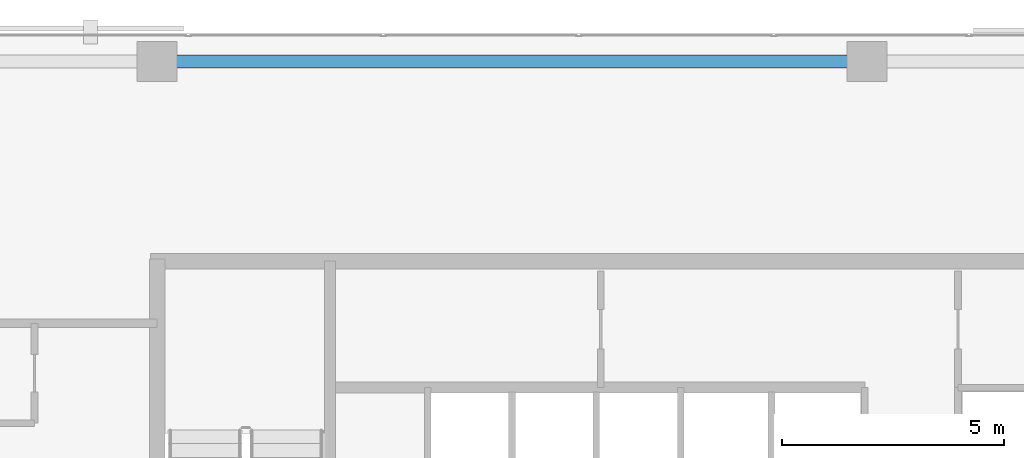
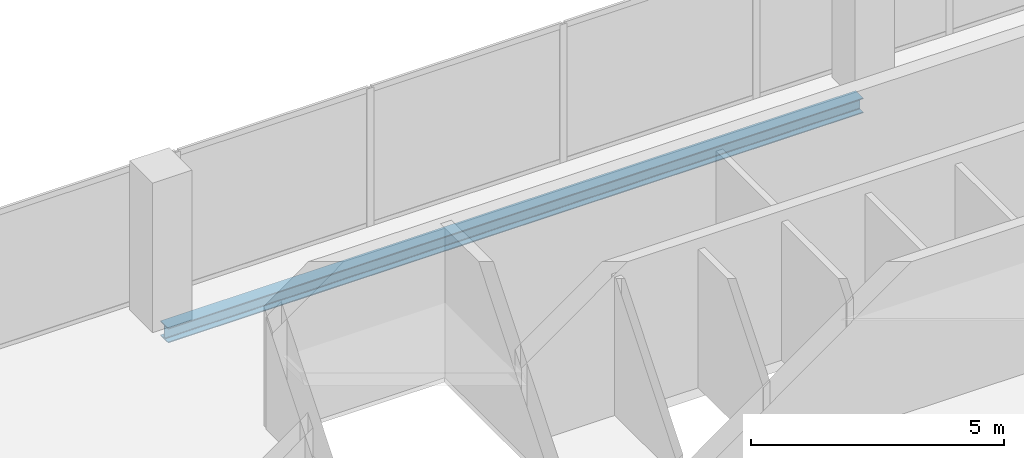
# One storey, part 21 of 34: 1 beam.
"""IFC4 building model written with IfcOpenShell, lengths in metres."""

from ifc_helpers import new_model, si_unit, direction, frame, origin, origin_2d, place, context, subcontext, project, spatial, i_section, extrude, material, material_profile, profile_set, type_object, element, save


model = new_model("IFC4")

# Units and contexts
model_context = context("Model", 3, precision=1e-05, world=origin(), true_north=direction((0.0, 1.0)))
body_context = subcontext(model_context, "Body", "Model", "MODEL_VIEW")
ifc_project = project(units=[si_unit("LENGTHUNIT", "METRE"), si_unit("AREAUNIT", "SQUARE_METRE"), si_unit("VOLUMEUNIT", "CUBIC_METRE"), si_unit("PLANEANGLEUNIT", "RADIAN"), si_unit("MASSUNIT", "GRAM", prefix="KILO")], contexts=[model_context])

# Site, building, storey
site_placement = place(None, origin())
site = spatial("IfcSite", under=ifc_project, at=site_placement, CompositionType="ELEMENT")
building_placement = place(site_placement, origin())
building = spatial("IfcBuilding", under=site, at=building_placement, Name="Catumbela Crestline Tower", CompositionType="ELEMENT")
storey_placement = place(building_placement, frame((0.0, 0.0, 115.2)))
storey = spatial("IfcBuildingStorey", under=building, at=storey_placement, Name="L29", CompositionType="ELEMENT", Elevation=115.2)

# Beam
ifc_material = material(Name="Structural steel S355J2", Category="steel")
ifc_material_profile = material_profile(ifc_material, i_section(OverallWidth=0.3, OverallDepth=0.36, WebThickness=0.0125, FlangeThickness=0.0225, FilletRadius=0.027, at=origin_2d()), Name="HEB 360")
ifc_profile_set = profile_set([ifc_material_profile], Name="Structural steel S355J2")
beam_type = type_object("IfcBeamType", Name="BS-HEB360", PredefinedType="SPANDREL", material=ifc_profile_set)
beam_placement = place(storey_placement, frame((16.08, 47.4, -0.44), z_axis=(1.0, 0.0, 0.0), x_axis=(0.0, 1.0, 0.0)))
element("IfcBeam", 1, at=beam_placement, inside=storey, type_object=beam_type, Name="L29 Spandrel SP-L29-NF19", PredefinedType="SPANDREL", context=body_context, shape_type="SweptSolid", body=[
    extrude(i_section(OverallWidth=0.3, OverallDepth=0.36, WebThickness=0.0125, FlangeThickness=0.0225, FilletRadius=0.027, at=origin_2d()), origin(), (0.0, 0.0, 1.0), 15.84),
])

save(model, "model.ifc")
